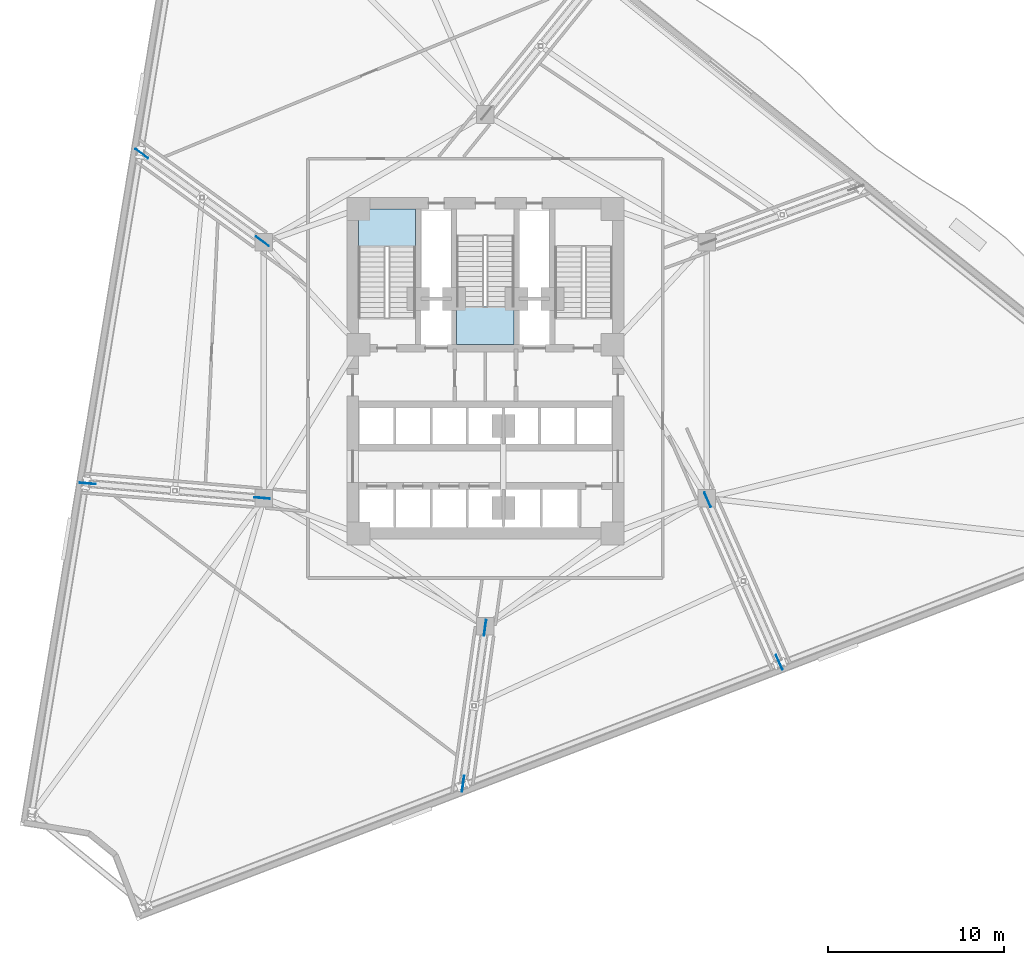
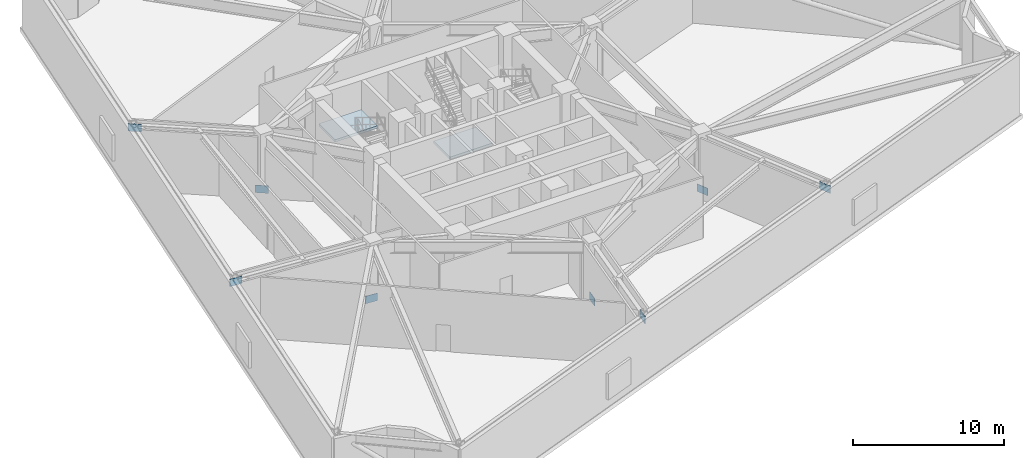
# One storey, part 8 of 18: 8 plates, 2 slabs, 2 elements without a shape of their own.
"""IFC4 building model written with IfcOpenShell, lengths in metres."""

from ifc_helpers import new_model, si_unit, direction, frame, origin, origin_2d, place, context, subcontext, project, spatial, polyline, rectangle, outline, extrude, material, layer, layer_set, type_object, element, aggregate, save


model = new_model("IFC4")

# Units and contexts
model_context = context("Model", 3, precision=1e-05, world=origin(), true_north=direction((0.0, 1.0)))
body_context = subcontext(model_context, "Body", "Model", "MODEL_VIEW")
ifc_project = project(units=[si_unit("LENGTHUNIT", "METRE"), si_unit("AREAUNIT", "SQUARE_METRE"), si_unit("VOLUMEUNIT", "CUBIC_METRE"), si_unit("PLANEANGLEUNIT", "RADIAN"), si_unit("MASSUNIT", "GRAM", prefix="KILO")], contexts=[model_context])

# Site, building, storey
site_placement = place(None, origin())
site = spatial("IfcSite", under=ifc_project, at=site_placement, CompositionType="ELEMENT")
building_placement = place(site_placement, origin())
building = spatial("IfcBuilding", under=site, at=building_placement, Name="Apsidion Concourse Tower", CompositionType="ELEMENT")
storey_placement = place(building_placement, frame((0.0, 0.0, 127.0)))
storey = spatial("IfcBuildingStorey", under=building, at=storey_placement, Name="L29", CompositionType="ELEMENT", Elevation=127.0)

# Plates
ifc_material_1 = material(Name="Structural steel ASTM A572 Grade 50", Category="steel")
ifc_layer_1 = layer(ifc_material_1, 0.0400390625)
ifc_layer_set_1 = layer_set([ifc_layer_1], Name="Structural steel ASTM A572 Grade 50")
plate_type = type_object("IfcPlateType", Name="PL-GUSSET-40", PredefinedType="SHEET", material=ifc_layer_set_1)
for number, where, z_axis, x_axis, name in (
    (1, (-12.65966796875, -7.24169921875, 0.02001953125), (0.0, 0.0, 1.0), (-0.996522007617, 0.083329996614, 0.0), "L29 Outrigger Inner Node Gusset Plate ONA-01"),
    (2, (-22.539794921875, -6.416259765625, 4.369873046875), (0.0, 0.0, 1.0), (-0.996522007617, 0.083329996614, 0.0), "L29 Outrigger Outer Node Gusset Plate ONB-01"),
    (3, (12.600341796875, -7.341552734375, 0.02001953125), (0.0, 0.0, 1.0), (-0.403225890599, 0.915100475986, 0.0), "L29 Outrigger Inner Node Gusset Plate ONA-02"),
    (4, (16.656494140625, -16.54638671875, 4.369873046875), (0.0, 0.0, 1.0), (-0.403225890599, 0.915100475986, 0.0), "L29 Outrigger Outer Node Gusset Plate ONB-02"),
    (5, (-12.640869140625, 7.308837890625, 0.02001953125), (0.0, 0.0, 1.0), (-0.808401023617, 0.588632130464, 0.0), "L29 Outrigger Inner Node Gusset Plate ONA-05"),
    (6, (-19.477783203125, 12.287353515625, 4.369873046875), (0.0, 0.0, 1.0), (-0.808401023617, 0.588632130464, 0.0), "L29 Outrigger Outer Node Gusset Plate ONB-05"),
    (7, (-0.013916015625, -14.59912109375, 0.02001953125), (0.0, 0.0, 1.0), (0.139691585007, 0.990195062136, 0.0), "L29 Outrigger Inner Node Gusset Plate ONA-06"),
    (8, (-1.26123046875, -23.4375, 4.369873046875), (0.0, 0.0, 1.0), (0.139691585007, 0.990195062136, 0.0), "L29 Outrigger Outer Node Gusset Plate ONB-06"),
):
    element("IfcPlate", number, at=place(storey_placement, frame(where, z_axis=z_axis, x_axis=x_axis)), inside=storey, type_object=plate_type, Name=name, PredefinedType="SHEET", context=body_context, shape_type="SweptSolid", body=[
        extrude(rectangle(XDim=0.89990234375, YDim=0.0400390625, at=origin_2d()), origin(), (0.0, 0.0, 1.0), 0.60009765625),
    ])

# Stair, slab
ifc_material_2 = material(Name="Precast concrete C40/50", Category="concrete")
stair_type = type_object("IfcStairType", Name="ST-DL-1550", PredefinedType="HALF_TURN_STAIR", material=ifc_material_2)
stair_1_placement = place(storey_placement, origin())
stair_1 = element("IfcStair", 9, at=stair_1_placement, inside=storey, type_object=stair_type, Name="L29 Protected Core Exit Stair ST1", PredefinedType="HALF_TURN_STAIR")
ifc_material_3 = material(Name="Concrete C50/60", Category="concrete")
ifc_layer_2 = layer(ifc_material_3, 0.199951171875)
ifc_layer_set_2 = layer_set([ifc_layer_2], Name="Concrete C50/60")
slab_type = type_object("IfcSlabType", Name="SL-ST-LAND-200", PredefinedType="LANDING", material=ifc_layer_set_2)
slab_1_placement = place(storey_placement, frame((0.0, 0.0, 2.39990234375)))
slab_1 = element("IfcSlab", 10, at=slab_1_placement, type_object=slab_type, Name="ST1 landing 1", PredefinedType="LANDING", context=body_context, shape_type="SweptSolid", body=[
    extrude(outline(polyline([(-3.949951171875, 6.989990234375), (-3.949951171875, 9.14990234375), (-7.199951171875, 9.14990234375), (-7.199951171875, 6.989990234375), (-3.949951171875, 6.989990234375)])), origin(), (0.0, 0.0, 1.0), 0.2001953125),
])
aggregate(stair_1, [slab_1])

stair_2_placement = place(storey_placement, origin())
stair_2 = element("IfcStair", 11, at=stair_2_placement, inside=storey, type_object=stair_type, Name="L29 Protected Core Exit Stair ST3", PredefinedType="HALF_TURN_STAIR")
slab_2_placement = place(storey_placement, frame((0.0, 0.0, 2.39990234375)))
slab_2 = element("IfcSlab", 12, at=slab_2_placement, type_object=slab_type, Name="ST3 landing 1", PredefinedType="LANDING", context=body_context, shape_type="SweptSolid", body=[
    extrude(outline(polyline([(-1.625, 3.610107421875), (-1.625, 1.449951171875), (1.625, 1.449951171875), (1.625, 3.610107421875), (-1.625, 3.610107421875)])), origin(), (0.0, 0.0, 1.0), 0.2001953125),
])
aggregate(stair_2, [slab_2])

save(model, "model.ifc")
